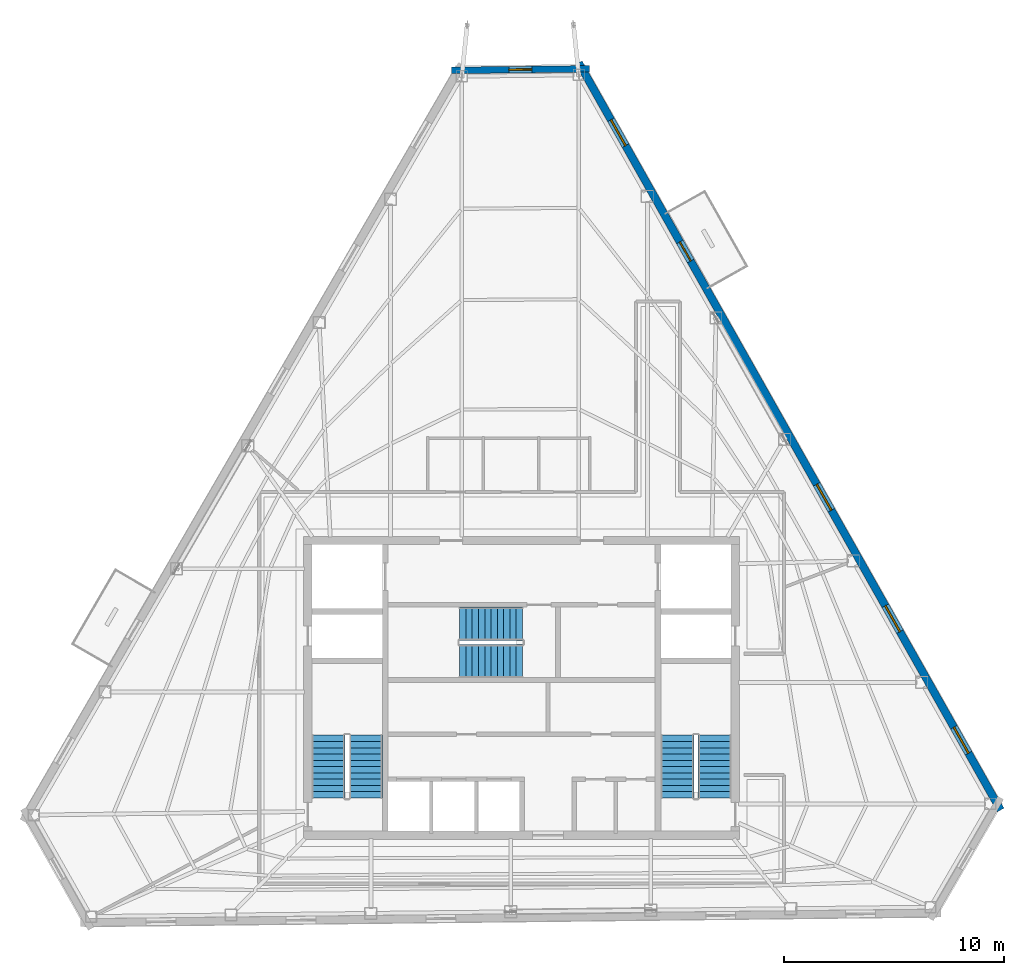
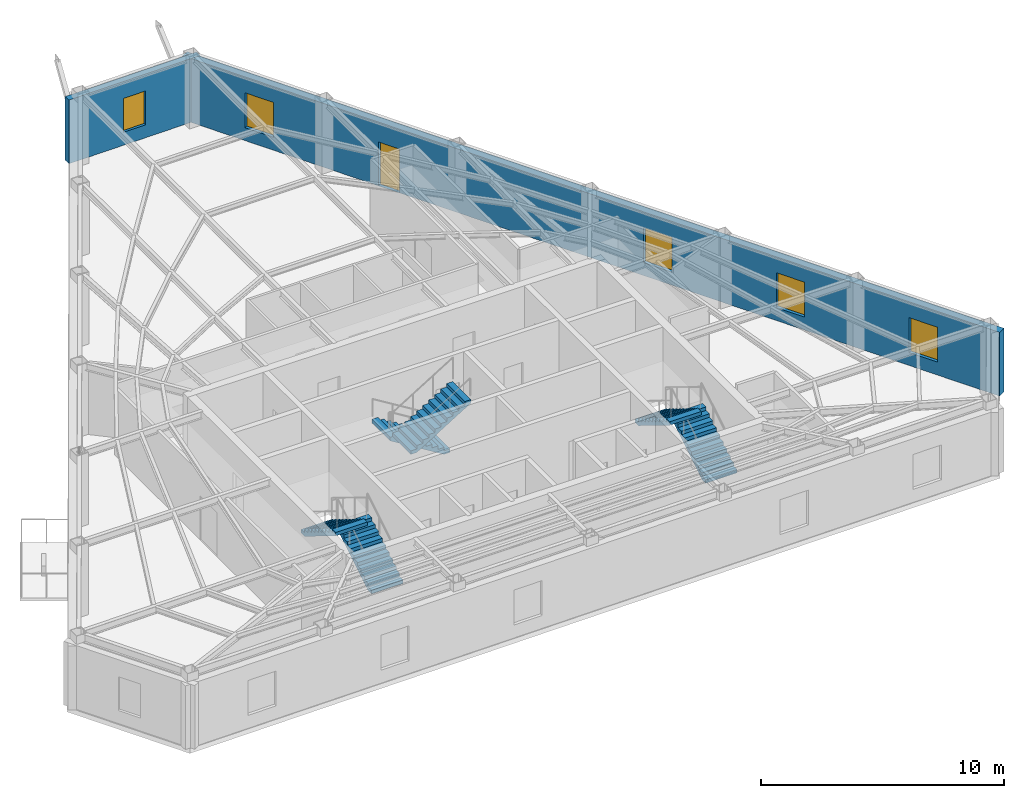
# One storey, part 8 of 10: 6 stair flights, 5 windows, 2 walls, 1 door, 6 openings, 3 elements without a shape of their own.
"""IFC4 building model written with IfcOpenShell, lengths in metres."""

from ifc_helpers import new_model, si_unit, direction, frame, frame_2d, origin, place, context, subcontext, project, spatial, polyline, rectangle, outline, extrude, material, layer, layer_set, type_object, element, fill, aggregate, save


model = new_model("IFC4")

# Units and contexts
model_context = context("Model", 3, precision=1e-05, world=origin(), true_north=direction((0.0, 1.0)))
body_context = subcontext(model_context, "Body", "Model", "MODEL_VIEW")
ifc_project = project(units=[si_unit("LENGTHUNIT", "METRE"), si_unit("AREAUNIT", "SQUARE_METRE"), si_unit("VOLUMEUNIT", "CUBIC_METRE"), si_unit("PLANEANGLEUNIT", "RADIAN"), si_unit("MASSUNIT", "GRAM", prefix="KILO")], contexts=[model_context])

# Site, building, storey
site_placement = place(None, origin())
site = spatial("IfcSite", under=ifc_project, at=site_placement, CompositionType="ELEMENT")
building_placement = place(site_placement, origin())
building = spatial("IfcBuilding", under=site, at=building_placement, Name="Kavelnor Concourse Tower", CompositionType="ELEMENT")
storey_placement = place(building_placement, frame((0.0, 0.0, 293.39990234375)))
storey = spatial("IfcBuildingStorey", under=building, at=storey_placement, Name="L74", CompositionType="ELEMENT", Elevation=293.39990234375)

# Wall, opening, window
ifc_material_1 = material(Name="Buff ironspot clay face brick masonry", Category="masonry")
ifc_layer_1 = layer(ifc_material_1, 0.300048828125, Name="Buff ironspot clay face brick masonry")
ifc_layer_set_1 = layer_set([ifc_layer_1], Name="Buff ironspot clay face brick masonry")
wall_type_1 = type_object("IfcWallType", Name="WL-EXT-BUFF-BRICK-FOLD-300", PredefinedType="STANDARD", material=ifc_layer_set_1)
wall_1_placement = place(storey_placement, frame((34.81201171875, 44.1328125, 0.0), z_axis=(0.0, 0.0, 1.0), x_axis=(0.999937495826, 0.011180538464, 0.0)))
wall_1 = element("IfcWall", 1, at=wall_1_placement, inside=storey, type_object=wall_type_1, Name="L74 Exterior Brick Facade Wall E0", PredefinedType="STANDARD", context=body_context, shape_type="SweptSolid", body=[
    extrude(rectangle(XDim=6.26708984375, YDim=0.300048828125, at=frame_2d((3.133544921875, 0.0))), origin(), (0.0, 0.0, 1.0), 3.196044921875),
])
opening_1_placement = place(wall_1_placement, frame((2.6083984375, 0.0, 0.64990234375)))
opening_1 = element("IfcOpeningElement", 2, at=opening_1_placement, cuts=wall_1, Name="Opening W-06", PredefinedType="OPENING", context=body_context, shape_type="SweptSolid", body=[
    extrude(rectangle(XDim=1.050048828125, YDim=1.699951171875, at=frame_2d((0.52490234375, 0.85009765625))), frame((0.0, 0.16015625, 0.0), z_axis=(0.0, -1.0, 0.0), x_axis=(1.0, 0.0, 0.0)), (0.0, 0.0, 1.0), 0.320068359375),
])
ifc_material_2 = material(Name="Double low-E argon insulated glazing", Category="glass")
window_type_1 = type_object("IfcWindowType", Name="WIN-FOLD-1050", PartitioningType="SINGLE_PANEL", PredefinedType="WINDOW", material=ifc_material_2)
window_1_placement = place(opening_1_placement, origin())
window_1 = element("IfcWindow", 3, at=window_1_placement, inside=storey, type_object=window_type_1, Name="L74 Chamfer-Fold Facet Window C0", OverallHeight=1.699951171875, OverallWidth=1.050048828125, PartitioningType="SINGLE_PANEL", PredefinedType="WINDOW", context=body_context, shape_type="SweptSolid", body=[
    extrude(rectangle(XDim=1.050048828125, YDim=1.699951171875, at=frame_2d((0.52490234375, 0.85009765625))), frame((0.0, 0.030029296875, 0.0), z_axis=(0.0, -1.0, 0.0), x_axis=(1.0, 0.0, 0.0)), (0.0, 0.0, 1.0), 0.06005859375),
])
fill(opening_1, window_1)

# Wall, openings, door, windows
ifc_material_3 = material(Name="Red-ochre clay face brick masonry", Category="masonry")
ifc_layer_2 = layer(ifc_material_3, 0.35009765625, Name="Red-ochre clay face brick masonry")
ifc_layer_set_2 = layer_set([ifc_layer_2], Name="Red-ochre clay face brick masonry")
wall_type_2 = type_object("IfcWallType", Name="WL-EXT-RED-BRICK-PIER-350", PredefinedType="STANDARD", material=ifc_layer_set_2)
wall_2_placement = place(storey_placement, frame((40.59521484375, 44.481689453125, 0.0), z_axis=(0.0, 0.0, 1.0), x_axis=(0.491607932601, -0.870816651543, 0.0)))
wall_2 = element("IfcWall", 4, at=wall_2_placement, inside=storey, type_object=wall_type_2, Name="L74 Exterior Brick Facade Wall E5", PredefinedType="STANDARD", context=body_context, shape_type="SweptSolid", body=[
    extrude(rectangle(XDim=38.965087890625, YDim=0.35009765625, at=frame_2d((19.482421875, 0.0))), origin(), (0.0, 0.0, 1.0), 3.196044921875),
])
opening_2_placement = place(wall_2_placement, frame((9.34130859375, 0.0, 0.0)))
opening_2 = element("IfcOpeningElement", 5, at=opening_2_placement, cuts=wall_2, Name="Opening BD-100", PredefinedType="OPENING", context=body_context, shape_type="SweptSolid", body=[
    extrude(rectangle(XDim=1.0, YDim=2.199951171875, at=frame_2d((0.5, 1.10009765625))), frame((0.0, 0.18505859375, 0.0), z_axis=(0.0, -1.0, 0.0), x_axis=(1.0, 0.0, 0.0)), (0.0, 0.0, 1.0), 0.3701171875),
])
opening_3_placement = place(wall_2_placement, frame((34.648193359375, 0.0, 0.64990234375)))
opening_3 = element("IfcOpeningElement", 6, at=opening_3_placement, cuts=wall_2, Name="Opening W-04", PredefinedType="OPENING", context=body_context, shape_type="SweptSolid", body=[
    extrude(rectangle(XDim=1.35009765625, YDim=1.75, at=frame_2d((0.675048828125, 0.875))), frame((0.0, 0.18505859375, 0.0), z_axis=(0.0, -1.0, 0.0), x_axis=(1.0, 0.0, 0.0)), (0.0, 0.0, 1.0), 0.3701171875),
])
opening_4_placement = place(wall_2_placement, frame((28.313720703125, 0.0, 0.64990234375)))
opening_4 = element("IfcOpeningElement", 7, at=opening_4_placement, cuts=wall_2, Name="Opening W-04", PredefinedType="OPENING", context=body_context, shape_type="SweptSolid", body=[
    extrude(rectangle(XDim=1.35009765625, YDim=1.75, at=frame_2d((0.675048828125, 0.875))), frame((0.0, 0.18505859375, 0.0), z_axis=(0.0, -1.0, 0.0), x_axis=(1.0, 0.0, 0.0)), (0.0, 0.0, 1.0), 0.3701171875),
])
opening_5_placement = place(wall_2_placement, frame((21.979248046875, 0.0, 0.64990234375)))
opening_5 = element("IfcOpeningElement", 8, at=opening_5_placement, cuts=wall_2, Name="Opening W-04", PredefinedType="OPENING", context=body_context, shape_type="SweptSolid", body=[
    extrude(rectangle(XDim=1.35009765625, YDim=1.75, at=frame_2d((0.675048828125, 0.875))), frame((0.0, 0.18505859375, 0.0), z_axis=(0.0, -1.0, 0.0), x_axis=(1.0, 0.0, 0.0)), (0.0, 0.0, 1.0), 0.3701171875),
])
opening_6_placement = place(wall_2_placement, frame((2.97607421875, 0.0, 0.64990234375)))
opening_6 = element("IfcOpeningElement", 9, at=opening_6_placement, cuts=wall_2, Name="Opening W-04", PredefinedType="OPENING", context=body_context, shape_type="SweptSolid", body=[
    extrude(rectangle(XDim=1.35009765625, YDim=1.75, at=frame_2d((0.675048828125, 0.875))), frame((0.0, 0.18505859375, 0.0), z_axis=(0.0, -1.0, 0.0), x_axis=(1.0, 0.0, 0.0)), (0.0, 0.0, 1.0), 0.3701171875),
])
ifc_material_4 = material(Name="Anodised aluminium 6063-T6", Category="aluminium")
door_type = type_object("IfcDoorType", Name="DR-BALCONY-EXT-1000", OperationType="NOTDEFINED", PredefinedType="DOOR", material=ifc_material_4)
door_placement = place(opening_2_placement, origin())
door = element("IfcDoor", 10, at=door_placement, inside=storey, type_object=door_type, Name="L74 Tree Balcony 1 Glazed Door", OperationType="SINGLE_SWING_LEFT", OverallHeight=2.199951171875, OverallWidth=1.0, PredefinedType="DOOR", context=body_context, shape_type="SweptSolid", body=[
    extrude(rectangle(XDim=1.0, YDim=2.199951171875, at=frame_2d((0.5, 1.10009765625))), frame((0.0, 0.02490234375, 0.0), z_axis=(0.0, -1.0, 0.0), x_axis=(1.0, 0.0, 0.0)), (0.0, 0.0, 1.0), 0.050048828125),
])
fill(opening_2, door)
window_type_2 = type_object("IfcWindowType", Name="WIN-PIER-Z4-1350", PartitioningType="SINGLE_PANEL", PredefinedType="WINDOW", material=ifc_material_2)
window_2_placement = place(opening_3_placement, origin())
window_2 = element("IfcWindow", 11, at=window_2_placement, inside=storey, type_object=window_type_2, Name="L74 Deep-Set Brick Pier Window F2-B0", OverallHeight=1.75, OverallWidth=1.35009765625, PartitioningType="SINGLE_PANEL", PredefinedType="WINDOW", context=body_context, shape_type="SweptSolid", body=[
    extrude(rectangle(XDim=1.35009765625, YDim=1.75, at=frame_2d((0.675048828125, 0.875))), frame((0.0, 0.030029296875, 0.0), z_axis=(0.0, -1.0, 0.0), x_axis=(1.0, 0.0, 0.0)), (0.0, 0.0, 1.0), 0.06005859375),
])
fill(opening_3, window_2)
window_3_placement = place(opening_4_placement, origin())
window_3 = element("IfcWindow", 12, at=window_3_placement, inside=storey, type_object=window_type_2, Name="L74 Deep-Set Brick Pier Window F2-B1", OverallHeight=1.75, OverallWidth=1.35009765625, PartitioningType="SINGLE_PANEL", PredefinedType="WINDOW", context=body_context, shape_type="SweptSolid", body=[
    extrude(rectangle(XDim=1.35009765625, YDim=1.75, at=frame_2d((0.675048828125, 0.875))), frame((0.0, 0.030029296875, 0.0), z_axis=(0.0, -1.0, 0.0), x_axis=(1.0, 0.0, 0.0)), (0.0, 0.0, 1.0), 0.06005859375),
])
fill(opening_4, window_3)
window_4_placement = place(opening_5_placement, origin())
window_4 = element("IfcWindow", 13, at=window_4_placement, inside=storey, type_object=window_type_2, Name="L74 Deep-Set Brick Pier Window F2-B2", OverallHeight=1.75, OverallWidth=1.35009765625, PartitioningType="SINGLE_PANEL", PredefinedType="WINDOW", context=body_context, shape_type="SweptSolid", body=[
    extrude(rectangle(XDim=1.35009765625, YDim=1.75, at=frame_2d((0.675048828125, 0.875))), frame((0.0, 0.030029296875, 0.0), z_axis=(0.0, -1.0, 0.0), x_axis=(1.0, 0.0, 0.0)), (0.0, 0.0, 1.0), 0.06005859375),
])
fill(opening_5, window_4)
window_5_placement = place(opening_6_placement, origin())
window_5 = element("IfcWindow", 14, at=window_5_placement, inside=storey, type_object=window_type_2, Name="L74 Deep-Set Brick Pier Window F2-B5", OverallHeight=1.75, OverallWidth=1.35009765625, PartitioningType="SINGLE_PANEL", PredefinedType="WINDOW", context=body_context, shape_type="SweptSolid", body=[
    extrude(rectangle(XDim=1.35009765625, YDim=1.75, at=frame_2d((0.675048828125, 0.875))), frame((0.0, 0.030029296875, 0.0), z_axis=(0.0, -1.0, 0.0), x_axis=(1.0, 0.0, 0.0)), (0.0, 0.0, 1.0), 0.06005859375),
])
fill(opening_6, window_5)

# Stair, stair flights
ifc_material_5 = material(Name="Concrete C40/50", Category="concrete")
stair_type = type_object("IfcStairType", Name="STR-CORE-1500", PredefinedType="HALF_TURN_STAIR", material=ifc_material_5)
stair_1_placement = place(storey_placement, origin())
stair_1 = element("IfcStair", 15, at=stair_1_placement, inside=storey, type_object=stair_type, Name="L74 ST1", PredefinedType="HALF_TURN_STAIR")
stair_flight_type = type_object("IfcStairFlightType", Name="STR-FLIGHT-1500", PredefinedType="STRAIGHT", material=ifc_material_5)
stair_flight_1_placement = place(storey_placement, frame((30.929931640625, 11.10009765625, 0.0), z_axis=(0.0, 0.0, 1.0), x_axis=(0.0, 1.0, 0.0)))
stair_flight_1 = element("IfcStairFlight", 16, at=stair_flight_1_placement, type_object=stair_flight_type, Name="ST1 flight 1", NumberOfRisers=11, NumberOfTreads=10, PredefinedType="STRAIGHT", RiserHeight=0.175, TreadLength=0.285, context=body_context, shape_type="SweptSolid", body=[
    extrude(outline(polyline([(0.0, 0.0), (0.0, 0.175048828125), (0.284912109375, 0.175048828125), (0.284912109375, 0.35009765625), (0.570068359375, 0.35009765625), (0.570068359375, 0.52490234375), (0.85498046875, 0.52490234375), (0.85498046875, 0.699951171875), (1.139892578125, 0.699951171875), (1.139892578125, 0.875), (1.425048828125, 0.875), (1.425048828125, 1.050048828125), (1.7099609375, 1.050048828125), (1.7099609375, 1.22509765625), (1.9951171875, 1.22509765625), (1.9951171875, 1.39990234375), (2.280029296875, 1.39990234375), (2.280029296875, 1.574951171875), (2.56494140625, 1.574951171875), (2.56494140625, 1.75), (2.85009765625, 1.75), (2.85009765625, 1.925048828125), (2.85009765625, 1.573974609375), (0.286376953125, 0.0), (0.0, 0.0)])), frame((0.0, 0.75, 0.0), z_axis=(0.0, -1.0, 0.0), x_axis=(1.0, 0.0, 0.0)), (0.0, 0.0, 1.0), 1.5),
])
stair_flight_2_placement = place(storey_placement, frame((29.22998046875, 13.949951171875, 1.925048828125), z_axis=(0.0, 0.0, 1.0), x_axis=(0.0, -1.0, 0.0)))
stair_flight_2 = element("IfcStairFlight", 17, at=stair_flight_2_placement, type_object=stair_flight_type, Name="ST1 flight 2", NumberOfRisers=11, NumberOfTreads=10, PredefinedType="STRAIGHT", RiserHeight=0.175, TreadLength=0.285, context=body_context, shape_type="SweptSolid", body=[
    extrude(outline(polyline([(0.0, 0.0), (0.0, 0.175048828125), (0.284912109375, 0.175048828125), (0.284912109375, 0.35009765625), (0.570068359375, 0.35009765625), (0.570068359375, 0.52490234375), (0.85498046875, 0.52490234375), (0.85498046875, 0.699951171875), (1.139892578125, 0.699951171875), (1.139892578125, 0.875), (1.425048828125, 0.875), (1.425048828125, 1.050048828125), (1.7099609375, 1.050048828125), (1.7099609375, 1.22509765625), (1.9951171875, 1.22509765625), (1.9951171875, 1.39990234375), (2.280029296875, 1.39990234375), (2.280029296875, 1.574951171875), (2.56494140625, 1.574951171875), (2.56494140625, 1.75), (2.85009765625, 1.75), (2.85009765625, 1.925048828125), (2.85009765625, 1.573974609375), (0.286376953125, 0.0), (0.0, 0.0)])), frame((0.0, 0.75, 0.0), z_axis=(0.0, -1.0, 0.0), x_axis=(1.0, 0.0, 0.0)), (0.0, 0.0, 1.0), 1.5),
])
aggregate(stair_1, [stair_flight_1, stair_flight_2])

stair_2_placement = place(storey_placement, origin())
stair_2 = element("IfcStair", 18, at=stair_2_placement, inside=storey, type_object=stair_type, Name="L74 ST2", PredefinedType="HALF_TURN_STAIR")
stair_flight_3_placement = place(storey_placement, frame((46.77001953125, 11.10009765625, 0.0), z_axis=(0.0, 0.0, 1.0), x_axis=(0.0, 1.0, 0.0)))
stair_flight_3 = element("IfcStairFlight", 19, at=stair_flight_3_placement, type_object=stair_flight_type, Name="ST2 flight 1", NumberOfRisers=11, NumberOfTreads=10, PredefinedType="STRAIGHT", RiserHeight=0.175, TreadLength=0.285, context=body_context, shape_type="SweptSolid", body=[
    extrude(outline(polyline([(0.0, 0.0), (0.0, 0.175048828125), (0.284912109375, 0.175048828125), (0.284912109375, 0.35009765625), (0.570068359375, 0.35009765625), (0.570068359375, 0.52490234375), (0.85498046875, 0.52490234375), (0.85498046875, 0.699951171875), (1.139892578125, 0.699951171875), (1.139892578125, 0.875), (1.425048828125, 0.875), (1.425048828125, 1.050048828125), (1.7099609375, 1.050048828125), (1.7099609375, 1.22509765625), (1.9951171875, 1.22509765625), (1.9951171875, 1.39990234375), (2.280029296875, 1.39990234375), (2.280029296875, 1.574951171875), (2.56494140625, 1.574951171875), (2.56494140625, 1.75), (2.85009765625, 1.75), (2.85009765625, 1.925048828125), (2.85009765625, 1.573974609375), (0.286376953125, 0.0), (0.0, 0.0)])), frame((0.0, 0.75, 0.0), z_axis=(0.0, -1.0, 0.0), x_axis=(1.0, 0.0, 0.0)), (0.0, 0.0, 1.0), 1.5),
])
stair_flight_4_placement = place(storey_placement, frame((45.070068359375, 13.949951171875, 1.925048828125), z_axis=(0.0, 0.0, 1.0), x_axis=(0.0, -1.0, 0.0)))
stair_flight_4 = element("IfcStairFlight", 20, at=stair_flight_4_placement, type_object=stair_flight_type, Name="ST2 flight 2", NumberOfRisers=11, NumberOfTreads=10, PredefinedType="STRAIGHT", RiserHeight=0.175, TreadLength=0.285, context=body_context, shape_type="SweptSolid", body=[
    extrude(outline(polyline([(0.0, 0.0), (0.0, 0.175048828125), (0.284912109375, 0.175048828125), (0.284912109375, 0.35009765625), (0.570068359375, 0.35009765625), (0.570068359375, 0.52490234375), (0.85498046875, 0.52490234375), (0.85498046875, 0.699951171875), (1.139892578125, 0.699951171875), (1.139892578125, 0.875), (1.425048828125, 0.875), (1.425048828125, 1.050048828125), (1.7099609375, 1.050048828125), (1.7099609375, 1.22509765625), (1.9951171875, 1.22509765625), (1.9951171875, 1.39990234375), (2.280029296875, 1.39990234375), (2.280029296875, 1.574951171875), (2.56494140625, 1.574951171875), (2.56494140625, 1.75), (2.85009765625, 1.75), (2.85009765625, 1.925048828125), (2.85009765625, 1.573974609375), (0.286376953125, 0.0), (0.0, 0.0)])), frame((0.0, 0.75, 0.0), z_axis=(0.0, -1.0, 0.0), x_axis=(1.0, 0.0, 0.0)), (0.0, 0.0, 1.0), 1.5),
])
aggregate(stair_2, [stair_flight_3, stair_flight_4])

stair_3_placement = place(storey_placement, origin())
stair_3 = element("IfcStair", 21, at=stair_3_placement, inside=storey, type_object=stair_type, Name="L74 ST3", PredefinedType="HALF_TURN_STAIR")
stair_flight_5_placement = place(storey_placement, frame((38.0400390625, 19.010009765625, 0.0), z_axis=(0.0, 0.0, 1.0), x_axis=(-1.0, 0.0, 0.0)))
stair_flight_5 = element("IfcStairFlight", 22, at=stair_flight_5_placement, type_object=stair_flight_type, Name="ST3 flight 1", NumberOfRisers=11, NumberOfTreads=10, PredefinedType="STRAIGHT", RiserHeight=0.175, TreadLength=0.285, context=body_context, shape_type="SweptSolid", body=[
    extrude(outline(polyline([(0.0, 0.0), (0.0, 0.175048828125), (0.284912109375, 0.175048828125), (0.284912109375, 0.35009765625), (0.570068359375, 0.35009765625), (0.570068359375, 0.52490234375), (0.85498046875, 0.52490234375), (0.85498046875, 0.699951171875), (1.139892578125, 0.699951171875), (1.139892578125, 0.875), (1.425048828125, 0.875), (1.425048828125, 1.050048828125), (1.7099609375, 1.050048828125), (1.7099609375, 1.22509765625), (1.9951171875, 1.22509765625), (1.9951171875, 1.39990234375), (2.280029296875, 1.39990234375), (2.280029296875, 1.574951171875), (2.56494140625, 1.574951171875), (2.56494140625, 1.75), (2.85009765625, 1.75), (2.85009765625, 1.925048828125), (2.85009765625, 1.573974609375), (0.286376953125, 0.0), (0.0, 0.0)])), frame((0.0, 0.75, 0.0), z_axis=(0.0, -1.0, 0.0), x_axis=(1.0, 0.0, 0.0)), (0.0, 0.0, 1.0), 1.5),
])
stair_flight_6_placement = place(storey_placement, frame((35.18994140625, 17.31005859375, 1.925048828125), z_axis=(0.0, 0.0, 1.0), x_axis=(1.0, 0.0, 0.0)))
stair_flight_6 = element("IfcStairFlight", 23, at=stair_flight_6_placement, type_object=stair_flight_type, Name="ST3 flight 2", NumberOfRisers=11, NumberOfTreads=10, PredefinedType="STRAIGHT", RiserHeight=0.175, TreadLength=0.285, context=body_context, shape_type="SweptSolid", body=[
    extrude(outline(polyline([(0.0, 0.0), (0.0, 0.175048828125), (0.284912109375, 0.175048828125), (0.284912109375, 0.35009765625), (0.570068359375, 0.35009765625), (0.570068359375, 0.52490234375), (0.85498046875, 0.52490234375), (0.85498046875, 0.699951171875), (1.139892578125, 0.699951171875), (1.139892578125, 0.875), (1.425048828125, 0.875), (1.425048828125, 1.050048828125), (1.7099609375, 1.050048828125), (1.7099609375, 1.22509765625), (1.9951171875, 1.22509765625), (1.9951171875, 1.39990234375), (2.280029296875, 1.39990234375), (2.280029296875, 1.574951171875), (2.56494140625, 1.574951171875), (2.56494140625, 1.75), (2.85009765625, 1.75), (2.85009765625, 1.925048828125), (2.85009765625, 1.573974609375), (0.286376953125, 0.0), (0.0, 0.0)])), frame((0.0, 0.75, 0.0), z_axis=(0.0, -1.0, 0.0), x_axis=(1.0, 0.0, 0.0)), (0.0, 0.0, 1.0), 1.5),
])
aggregate(stair_3, [stair_flight_5, stair_flight_6])

save(model, "model.ifc")
